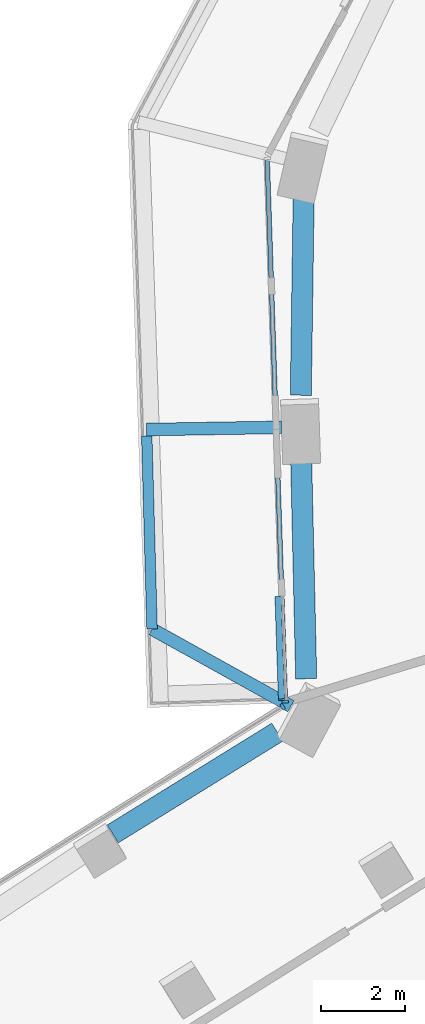
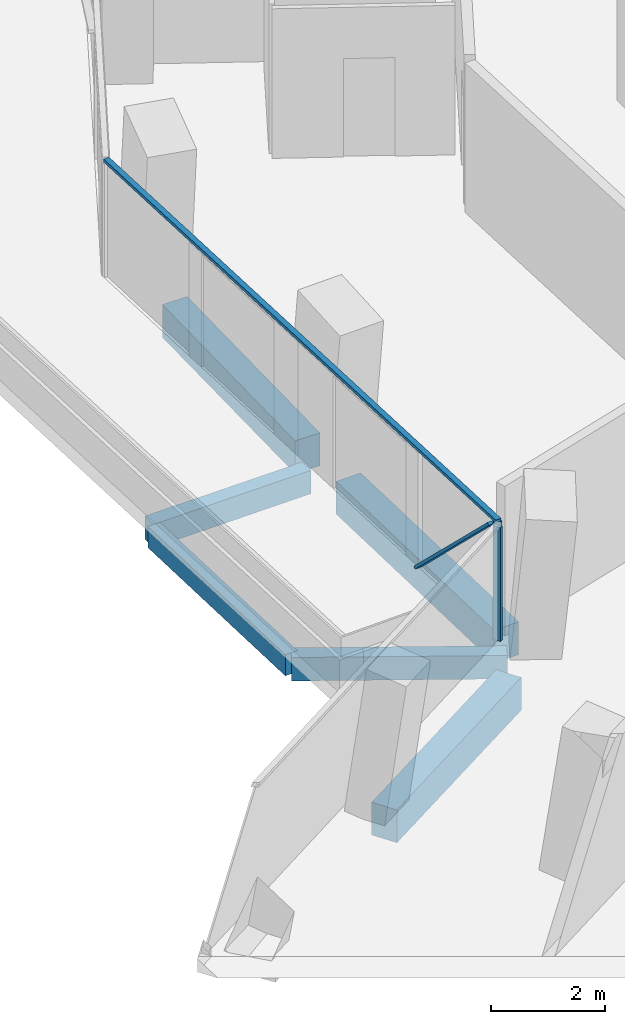
# One storey, part 4 of 27: 6 beams, 4 members, 2 elements without a shape of their own.
"""IFC4 building model written with IfcOpenShell, lengths in metres."""

from ifc_helpers import new_model, si_unit, direction, frame, origin, origin_2d, place, context, subcontext, project, spatial, rectangle, extrude, material, layer, layer_set, material_profile, profile_set, type_object, element, aggregate, save


model = new_model("IFC4")

# Units and contexts
model_context = context("Model", 3, precision=1e-05, world=origin(), true_north=direction((0.0, 1.0)))
body_context = subcontext(model_context, "Body", "Model", "MODEL_VIEW")
ifc_project = project(units=[si_unit("LENGTHUNIT", "METRE"), si_unit("AREAUNIT", "SQUARE_METRE"), si_unit("VOLUMEUNIT", "CUBIC_METRE"), si_unit("PLANEANGLEUNIT", "RADIAN"), si_unit("MASSUNIT", "GRAM", prefix="KILO")], contexts=[model_context])

# Site, building, storey
site_placement = place(None, origin())
site = spatial("IfcSite", under=ifc_project, at=site_placement, CompositionType="ELEMENT")
building_placement = place(site_placement, origin())
building = spatial("IfcBuilding", under=site, at=building_placement, Name="Verdalira Terraces Hotel", CompositionType="ELEMENT")
storey_placement = place(building_placement, frame((0.0, 0.0, 42.5)))
storey = spatial("IfcBuildingStorey", under=building, at=storey_placement, Name="L08", CompositionType="ELEMENT", Elevation=42.5)

# Beams
ifc_material_1 = material(Name="Concrete C40", Category="concrete")
ifc_material_profile_1 = material_profile(ifc_material_1, rectangle(XDim=0.300049, YDim=0.5, at=origin_2d()), Name="RC 300X500")
ifc_profile_set_1 = profile_set([ifc_material_profile_1], Name="Concrete C40")
beam_type_1 = type_object("IfcBeamType", Name="Balcony cantilever beam RC 300X500 C40", PredefinedType="BEAM", material=ifc_profile_set_1)
beam_1_placement = place(storey_placement, frame((-24.045898, -0.763428, -0.560059), z_axis=(-0.999859206, -0.01678, 0.0), x_axis=(0.01678, -0.999859206, 0.0)))
element("IfcBeam", 1, at=beam_1_placement, inside=storey, type_object=beam_type_1, Name="Balcony cantilever beam R12-1", PredefinedType="BEAM", context=body_context, shape_type="SweptSolid", body=[
    extrude(rectangle(XDim=0.300049, YDim=0.5, at=origin_2d()), origin(), (0.0, 0.0, 1.0), 3.200928),
])
beam_2_placement = place(storey_placement, frame((-23.820068, -7.381836, -0.560059), z_axis=(-0.874294709, 0.48539547, 0.0), x_axis=(-0.48539547, -0.874294709, 0.0)))
element("IfcBeam", 2, at=beam_2_placement, inside=storey, type_object=beam_type_1, Name="Balcony cantilever beam R12-2", PredefinedType="BEAM", context=body_context, shape_type="SweptSolid", body=[
    extrude(rectangle(XDim=0.300049, YDim=0.5, at=origin_2d()), origin(), (0.0, 0.0, 1.0), 3.769775),
])
ifc_material_2 = material(Name="Concrete C40", Category="concrete")
ifc_material_profile_2 = material_profile(ifc_material_2, rectangle(XDim=0.25, YDim=0.449951, at=origin_2d()), Name="RC 250X450")
ifc_profile_set_2 = profile_set([ifc_material_profile_2], Name="Concrete C40")
beam_type_2 = type_object("IfcBeamType", Name="Balcony edge beam RC 250X450 C40", PredefinedType="BEAM", material=ifc_profile_set_2)
beam_3_placement = place(storey_placement, frame((-27.242188, -0.967041, -0.534912), z_axis=(0.027518861, -0.999621284, 0.0), x_axis=(0.999621284, 0.027518861, 0.0)))
element("IfcBeam", 3, at=beam_3_placement, inside=storey, type_object=beam_type_2, Name="Balcony edge beam R12-1", PredefinedType="BEAM", context=body_context, shape_type="SweptSolid", body=[
    extrude(rectangle(XDim=0.25, YDim=0.449951, at=origin_2d()), origin(), (0.0, 0.0, 1.0), 4.58667),
])

# Curtain wall, members
ifc_material_3 = material(Name="Clear glass", Category="glass")
ifc_layer_1 = layer(ifc_material_3, 0.14990234375)
ifc_layer_set_1 = layer_set([ifc_layer_1], Name="CW1 curtain wall")
curtain_wall_type_1 = type_object("IfcCurtainWallType", Name="CW1 curtain wall", PredefinedType="NOTDEFINED", material=ifc_layer_set_1)
curtain_wall_1_placement = place(storey_placement, origin())
curtain_wall_1 = element("IfcCurtainWall", 4, at=curtain_wall_1_placement, inside=storey, type_object=curtain_wall_type_1, Name="CW1 curtain wall L08 edge 13", PredefinedType="NOTDEFINED")
ifc_material_4 = material(Name="Terracotta frame", Category="masonry")
ifc_material_profile_3 = material_profile(ifc_material_4, rectangle(XDim=0.060059, YDim=0.149902, at=origin_2d()), Name="MU 60x150")
ifc_profile_set_3 = profile_set([ifc_material_profile_3], Name="Terracotta frame")
member_type_1 = type_object("IfcMemberType", Name="CW1 mullion 60x150", PredefinedType="MULLION", material=ifc_profile_set_3)
member_1_placement = place(storey_placement, frame((-23.952881, -7.276611, 0.0), z_axis=(0.0, 0.0, 1.0), x_axis=(0.03350405, -0.999438582, 0.0)))
member_1 = element("IfcMember", 5, at=member_1_placement, type_object=member_type_1, Name="CW1 mullion", PredefinedType="MULLION", context=body_context, shape_type="SweptSolid", body=[
    extrude(rectangle(XDim=0.060059, YDim=0.149902, at=origin_2d()), origin(), (0.0, 0.0, 1.0), 2.425049),
])
ifc_material_5 = material(Name="Terracotta frame", Category="masonry")
ifc_material_profile_4 = material_profile(ifc_material_5, rectangle(XDim=0.110107, YDim=0.064941, at=origin_2d()), Name="TR 65x110")
ifc_profile_set_4 = profile_set([ifc_material_profile_4], Name="Terracotta frame")
member_type_2 = type_object("IfcMemberType", Name="CW1 transom 65x110", PredefinedType="USERDEFINED", material=ifc_profile_set_4)
member_2_placement = place(storey_placement, frame((-24.38623, 5.645996, 2.45752), z_axis=(0.033513038, -0.99943828, 0.0), x_axis=(0.99943828, 0.033513038, 0.0)))
member_2 = element("IfcMember", 6, at=member_2_placement, type_object=member_type_2, Name="CW1 transom", ObjectType="TRANSOM", PredefinedType="USERDEFINED", context=body_context, shape_type="SweptSolid", body=[
    extrude(rectangle(XDim=0.110107, YDim=0.064941, at=origin_2d()), origin(), (0.0, 0.0, 1.0), 12.959961),
])

# Curtain wall, member
ifc_material_6 = material(Name="Clear glass", Category="glass")
ifc_layer_2 = layer(ifc_material_6, 0.14990234375)
ifc_layer_set_2 = layer_set([ifc_layer_2], Name="CW2 curtain wall")
curtain_wall_type_2 = type_object("IfcCurtainWallType", Name="CW2 curtain wall", PredefinedType="NOTDEFINED", material=ifc_layer_set_2)
curtain_wall_2_placement = place(storey_placement, origin())
curtain_wall_2 = element("IfcCurtainWall", 7, at=curtain_wall_2_placement, inside=storey, type_object=curtain_wall_type_2, Name="CW2 curtain wall L08 edge 14", PredefinedType="NOTDEFINED")
ifc_material_7 = material(Name="Terracotta frame", Category="masonry")
ifc_material_profile_5 = material_profile(ifc_material_7, rectangle(XDim=0.070068, YDim=0.149902, at=origin_2d()), Name="MU 70x150")
ifc_profile_set_5 = profile_set([ifc_material_profile_5], Name="Terracotta frame")
member_type_3 = type_object("IfcMemberType", Name="CW2 mullion 70x150", PredefinedType="MULLION", material=ifc_profile_set_5)
member_3_placement = place(storey_placement, frame((-24.01709, -7.391357, 0.0), z_axis=(0.0, 0.0, 1.0), x_axis=(-0.848787176, -0.52873465, 0.0)))
member_3 = element("IfcMember", 8, at=member_3_placement, type_object=member_type_3, Name="CW2 mullion", PredefinedType="MULLION", context=body_context, shape_type="SweptSolid", body=[
    extrude(rectangle(XDim=0.070068, YDim=0.149902, at=origin_2d()), origin(), (0.0, 0.0, 1.0), 2.425049),
])
aggregate(curtain_wall_2, [member_3])

# Member
ifc_material_8 = material(Name="Terracotta frame", Category="masonry")
ifc_material_profile_6 = material_profile(ifc_material_8, rectangle(XDim=0.149902, YDim=0.060059, at=origin_2d()), Name="GB 60x150")
ifc_profile_set_6 = profile_set([ifc_material_profile_6], Name="Terracotta frame")
member_type_4 = type_object("IfcMemberType", Name="Diagonal glazing bar 60x150", PredefinedType="USERDEFINED", material=ifc_profile_set_6)
member_4_placement = place(storey_placement, frame((-24.125244, -4.794922, 0.022949), z_axis=(0.023963857, -0.714539074, 0.699184986), x_axis=(0.999438092, 0.033518659, 0.0)))
member_4 = element("IfcMember", 9, at=member_4_placement, type_object=member_type_4, Name="Diagonal glazing bar", ObjectType="GLAZING BAR", PredefinedType="USERDEFINED", context=body_context, shape_type="SweptSolid", body=[
    extrude(rectangle(XDim=0.149902, YDim=0.060059, at=origin_2d()), origin(), (0.0, 0.0, 1.0), 3.402832),
])

aggregate(curtain_wall_1, [member_1, member_2, member_4])

# Beams
ifc_material_9 = material(Name="Concrete C70", Category="concrete")
ifc_material_profile_7 = material_profile(ifc_material_9, rectangle(XDim=0.5, YDim=0.699951, at=origin_2d()), Name="RC 500X700")
ifc_profile_set_7 = profile_set([ifc_material_profile_7], Name="Concrete C70")
beam_type_3 = type_object("IfcBeamType", Name="Spandrel beam RC 500X700 C70", PredefinedType="SPANDREL", material=ifc_profile_set_7)
beam_4_placement = place(storey_placement, frame((-23.518066, 4.755615, -0.659912), z_axis=(-0.014416152, -0.999896082, 0.0), x_axis=(0.999896082, -0.014416152, 0.0)))
element("IfcBeam", 10, at=beam_4_placement, inside=storey, type_object=beam_type_3, Name="Spandrel beam B12", PredefinedType="SPANDREL", context=body_context, shape_type="SweptSolid", body=[
    extrude(rectangle(XDim=0.5, YDim=0.699951, at=origin_2d()), origin(), (0.0, 0.0, 1.0), 4.758789),
])
beam_5_placement = place(storey_placement, frame((-23.580811, -1.418945, -0.659912), z_axis=(0.023071134, -0.999733826, 0.0), x_axis=(0.999733826, 0.023071134, 0.0)))
element("IfcBeam", 11, at=beam_5_placement, inside=storey, type_object=beam_type_3, Name="Spandrel beam B13", PredefinedType="SPANDREL", context=body_context, shape_type="SweptSolid", body=[
    extrude(rectangle(XDim=0.5, YDim=0.699951, at=origin_2d()), origin(), (0.0, 0.0, 1.0), 5.312256),
])
beam_6_placement = place(storey_placement, frame((-24.145508, -7.998047, -0.659912), z_axis=(-0.850466911, -0.526028548, 0.0), x_axis=(0.526028548, -0.850466911, 0.0)))
element("IfcBeam", 12, at=beam_6_placement, inside=storey, type_object=beam_type_3, Name="Spandrel beam B14", PredefinedType="SPANDREL", context=body_context, shape_type="SweptSolid", body=[
    extrude(rectangle(XDim=0.5, YDim=0.699951, at=origin_2d()), origin(), (0.0, 0.0, 1.0), 4.588867),
])

save(model, "model.ifc")
